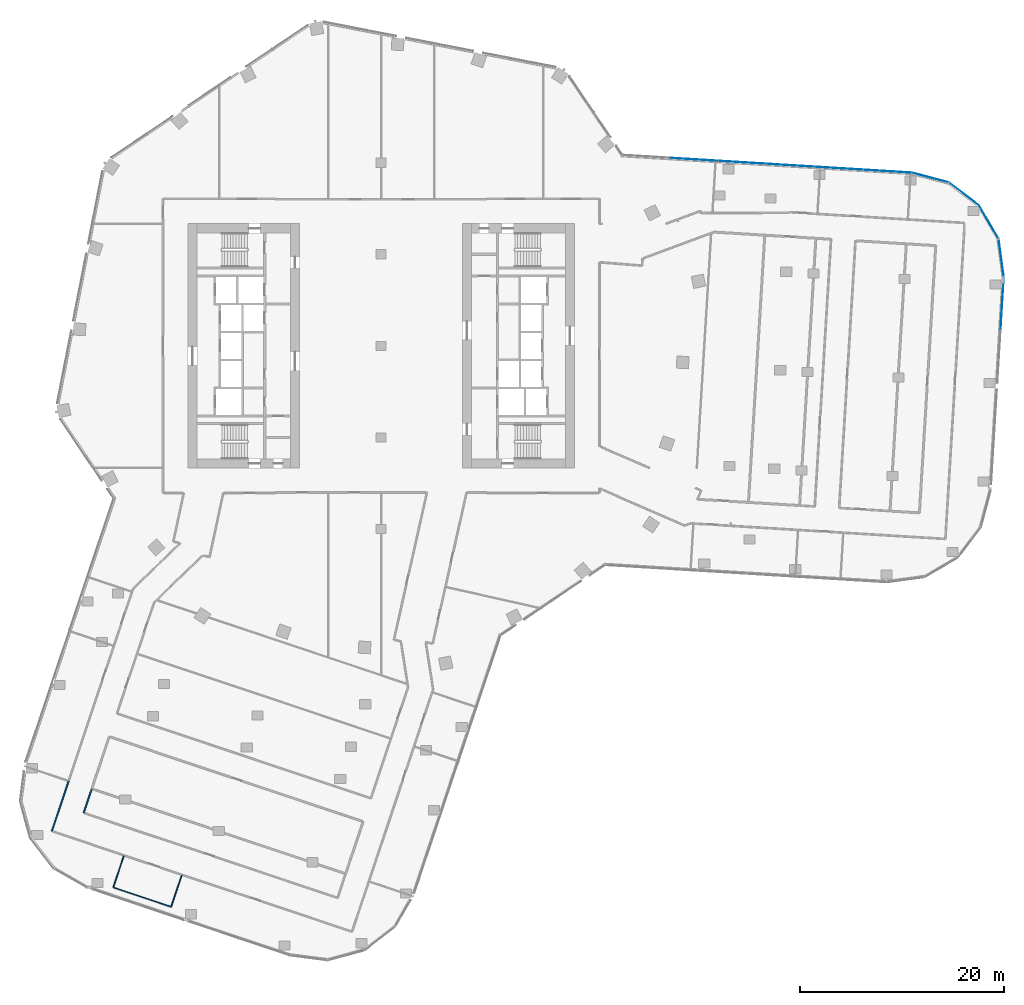
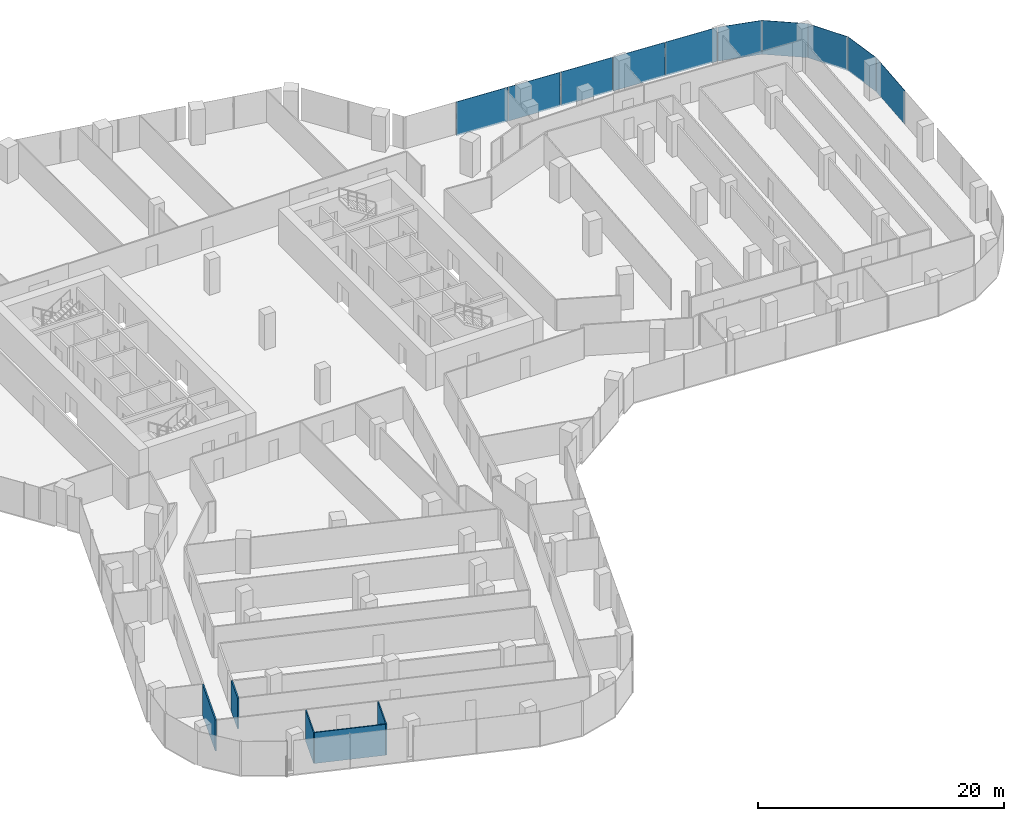
# One storey, part 21 of 32: 10 plates, 5 walls, 6 elements without a shape of their own.
"""IFC4 building model written with IfcOpenShell, lengths in metres."""

from ifc_helpers import new_model, si_unit, direction, frame, frame_2d, origin, origin_2d, place, context, subcontext, project, spatial, rectangle, extrude, material, layer, layer_set, type_object, element, aggregate, save


model = new_model("IFC4")

# Units and contexts
model_context = context("Model", 3, precision=1e-05, world=origin(), true_north=direction((0.0, 1.0)))
body_context = subcontext(model_context, "Body", "Model", "MODEL_VIEW")
ifc_project = project(units=[si_unit("LENGTHUNIT", "METRE"), si_unit("AREAUNIT", "SQUARE_METRE"), si_unit("VOLUMEUNIT", "CUBIC_METRE"), si_unit("PLANEANGLEUNIT", "RADIAN"), si_unit("MASSUNIT", "GRAM", prefix="KILO")], contexts=[model_context])

# Site, building, storey
site_placement = place(None, origin())
site = spatial("IfcSite", under=ifc_project, at=site_placement, CompositionType="ELEMENT")
building_placement = place(site_placement, origin())
building = spatial("IfcBuilding", under=site, at=building_placement, Name="Orlundy Tower", CompositionType="ELEMENT")
storey_placement = place(building_placement, frame((0.0, 0.0, 149.10009765625)))
storey = spatial("IfcBuildingStorey", under=building, at=storey_placement, Name="L38", CompositionType="ELEMENT", Elevation=149.10009765625)

# Curtain wall, plates
ifc_material_1 = material(Name="Aluminium bronze anodised", Category="aluminium")
curtain_wall_type = type_object("IfcCurtainWallType", Name="CW1 wall", PredefinedType="NOTDEFINED", material=ifc_material_1)
curtain_wall_1_placement = place(storey_placement, origin())
curtain_wall_1 = element("IfcCurtainWall", 1, at=curtain_wall_1_placement, inside=storey, type_object=curtain_wall_type, Name="CW1 run 018", PredefinedType="NOTDEFINED")
ifc_material_2 = material(Name="Tinted glass", Category="glass")
ifc_layer_1 = layer(ifc_material_2, 0.031982421875)
ifc_layer_set_1 = layer_set([ifc_layer_1], Name="CW1 glass panel 32")
plate_type = type_object("IfcPlateType", Name="CW1 glass panel 32", PredefinedType="CURTAIN_PANEL", material=ifc_layer_set_1)
plate_1_placement = place(storey_placement, frame((30.77685546875, 18.319091796875, -0.280029296875), z_axis=(0.0, 0.0, 1.0), x_axis=(0.998134478615, -0.061053768107, 0.0)))
plate_1 = element("IfcPlate", 2, at=plate_1_placement, type_object=plate_type, Name="CW1 panel", PredefinedType="CURTAIN_PANEL", context=body_context, shape_type="SweptSolid", body=[
    extrude(rectangle(XDim=4.705322265625, YDim=0.031982421875, at=origin_2d()), origin(), (0.0, 0.0, 1.0), 3.3798828125),
])
plate_2_placement = place(storey_placement, frame((35.523193359375, 18.02880859375, -0.280029296875), z_axis=(0.0, 0.0, 1.0), x_axis=(0.998134478615, -0.061053768107, 0.0)))
plate_2 = element("IfcPlate", 3, at=plate_2_placement, type_object=plate_type, Name="CW1 panel", PredefinedType="CURTAIN_PANEL", context=body_context, shape_type="SweptSolid", body=[
    extrude(rectangle(XDim=4.705322265625, YDim=0.031982421875, at=origin_2d()), origin(), (0.0, 0.0, 1.0), 3.3798828125),
])
plate_3_placement = place(storey_placement, frame((40.269775390625, 17.738525390625, -0.280029296875), z_axis=(0.0, 0.0, 1.0), x_axis=(0.998134478615, -0.061053768107, 0.0)))
plate_3 = element("IfcPlate", 4, at=plate_3_placement, type_object=plate_type, Name="CW1 panel", PredefinedType="CURTAIN_PANEL", context=body_context, shape_type="SweptSolid", body=[
    extrude(rectangle(XDim=4.705322265625, YDim=0.031982421875, at=origin_2d()), origin(), (0.0, 0.0, 1.0), 3.3798828125),
])
plate_4_placement = place(storey_placement, frame((45.016357421875, 17.4482421875, -0.280029296875), z_axis=(0.0, 0.0, 1.0), x_axis=(0.998134478615, -0.061053768107, 0.0)))
plate_4 = element("IfcPlate", 5, at=plate_4_placement, type_object=plate_type, Name="CW1 panel", PredefinedType="CURTAIN_PANEL", context=body_context, shape_type="SweptSolid", body=[
    extrude(rectangle(XDim=4.705322265625, YDim=0.031982421875, at=origin_2d()), origin(), (0.0, 0.0, 1.0), 3.3798828125),
])
plate_5_placement = place(storey_placement, frame((49.770751953125, 17.157470703125, -0.280029296875), z_axis=(0.0, 0.0, 1.0), x_axis=(0.998134478615, -0.061053768107, 0.0)))
plate_5 = element("IfcPlate", 6, at=plate_5_placement, type_object=plate_type, Name="CW1 panel", PredefinedType="CURTAIN_PANEL", context=body_context, shape_type="SweptSolid", body=[
    extrude(rectangle(XDim=4.721435546875, YDim=0.031982421875, at=origin_2d()), origin(), (0.0, 0.0, 1.0), 3.3798828125),
])
aggregate(curtain_wall_1, [plate_1, plate_2, plate_3, plate_4, plate_5])

# Curtain wall, plate
curtain_wall_2_placement = place(storey_placement, origin())
curtain_wall_2 = element("IfcCurtainWall", 7, at=curtain_wall_2_placement, inside=storey, type_object=curtain_wall_type, Name="CW1 run 019", PredefinedType="NOTDEFINED")
plate_6_placement = place(storey_placement, frame((53.97998046875, 16.5302734375, -0.280029296875), z_axis=(0.0, 0.0, 1.0), x_axis=(0.967018593616, -0.254705790277, 0.0)))
plate_6 = element("IfcPlate", 8, at=plate_6_placement, type_object=plate_type, Name="CW1 panel", PredefinedType="CURTAIN_PANEL", context=body_context, shape_type="SweptSolid", body=[
    extrude(rectangle(XDim=3.72998046875, YDim=0.031982421875, at=origin_2d()), origin(), (0.0, 0.0, 1.0), 3.3798828125),
])
aggregate(curtain_wall_2, [plate_6])

curtain_wall_3_placement = place(storey_placement, origin())
curtain_wall_3 = element("IfcCurtainWall", 9, at=curtain_wall_3_placement, inside=storey, type_object=curtain_wall_type, Name="CW1 run 020", PredefinedType="NOTDEFINED")
plate_7_placement = place(storey_placement, frame((57.28466796875, 14.9140625, -0.280029296875), z_axis=(0.0, 0.0, 1.0), x_axis=(0.796131001065, -0.605124308835, 0.0)))
plate_7 = element("IfcPlate", 10, at=plate_7_placement, type_object=plate_type, Name="CW1 panel", PredefinedType="CURTAIN_PANEL", context=body_context, shape_type="SweptSolid", body=[
    extrude(rectangle(XDim=3.77197265625, YDim=0.031982421875, at=origin_2d()), origin(), (0.0, 0.0, 1.0), 3.3798828125),
])
aggregate(curtain_wall_3, [plate_7])

curtain_wall_4_placement = place(storey_placement, origin())
curtain_wall_4 = element("IfcCurtainWall", 11, at=curtain_wall_4_placement, inside=storey, type_object=curtain_wall_type, Name="CW1 run 021", PredefinedType="NOTDEFINED")
plate_8_placement = place(storey_placement, frame((59.736083984375, 12.1435546875, -0.280029296875), z_axis=(0.0, 0.0, 1.0), x_axis=(0.503703269164, -0.863876736944, 0.0)))
plate_8 = element("IfcPlate", 12, at=plate_8_placement, type_object=plate_type, Name="CW1 panel", PredefinedType="CURTAIN_PANEL", context=body_context, shape_type="SweptSolid", body=[
    extrude(rectangle(XDim=3.771728515625, YDim=0.031982421875, at=origin_2d()), origin(), (0.0, 0.0, 1.0), 3.3798828125),
])
aggregate(curtain_wall_4, [plate_8])

curtain_wall_5_placement = place(storey_placement, origin())
curtain_wall_5 = element("IfcCurtainWall", 13, at=curtain_wall_5_placement, inside=storey, type_object=curtain_wall_type, Name="CW1 run 022", PredefinedType="NOTDEFINED")
plate_9_placement = place(storey_placement, frame((60.937744140625, 8.666259765625, -0.280029296875), z_axis=(0.0, 0.0, 1.0), x_axis=(0.134884472094, -0.990861331967, 0.0)))
plate_9 = element("IfcPlate", 14, at=plate_9_placement, type_object=plate_type, Name="CW1 panel", PredefinedType="CURTAIN_PANEL", context=body_context, shape_type="SweptSolid", body=[
    extrude(rectangle(XDim=3.73046875, YDim=0.031982421875, at=origin_2d()), origin(), (0.0, 0.0, 1.0), 3.3798828125),
])
aggregate(curtain_wall_5, [plate_9])

curtain_wall_6_placement = place(storey_placement, origin())
curtain_wall_6 = element("IfcCurtainWall", 15, at=curtain_wall_6_placement, inside=storey, type_object=curtain_wall_type, Name="CW1 run 023", PredefinedType="NOTDEFINED")
plate_10_placement = place(storey_placement, frame((61.031982421875, 4.164794921875, -0.280029296875), z_axis=(0.0, 0.0, 1.0), x_axis=(-0.061047131434, -0.998134884544, 0.0)))
plate_10 = element("IfcPlate", 16, at=plate_10_placement, type_object=plate_type, Name="CW1 panel", PredefinedType="CURTAIN_PANEL", context=body_context, shape_type="SweptSolid", body=[
    extrude(rectangle(XDim=5.216064453125, YDim=0.031982421875, at=origin_2d()), origin(), (0.0, 0.0, 1.0), 3.3798828125),
])
aggregate(curtain_wall_6, [plate_10])

# Walls
ifc_material_3 = material(Name="Gypsum board partition")
ifc_layer_2 = layer(ifc_material_3, 0.10009765625)
ifc_layer_set_2 = layer_set([ifc_layer_2], Name="Floor partition 100")
wall_type_1 = type_object("IfcWallType", Name="Floor partition 100", PredefinedType="PARTITIONING", material=ifc_layer_set_2)
wall_1_placement = place(storey_placement, frame((-26.281005859375, -53.2451171875, 0.0), z_axis=(0.0, 0.0, 1.0), x_axis=(0.948351779966, -0.317220587976, 0.0)))
element("IfcWall", 17, at=wall_1_placement, inside=storey, type_object=wall_type_1, Name="wall-int-L38-009", PredefinedType="PARTITIONING", context=body_context, shape_type="SweptSolid", body=[
    extrude(rectangle(XDim=5.900634765625, YDim=0.10009765625, at=frame_2d((2.9501953125, 0.0))), origin(), (0.0, 0.0, 1.0), 3.079833984375),
])
wall_2_placement = place(storey_placement, frame((-20.636962890625, -55.132080078125, 0.0), z_axis=(0.0, 0.0, 1.0), x_axis=(0.316922325985, 0.948451495487, 0.0)))
element("IfcWall", 18, at=wall_2_placement, inside=storey, type_object=wall_type_1, Name="wall-int-L38-070", PredefinedType="PARTITIONING", context=body_context, shape_type="SweptSolid", body=[
    extrude(rectangle(XDim=3.2685546875, YDim=0.10009765625, at=frame_2d((1.63427734375, 0.0))), origin(), (0.0, 0.0, 1.0), 3.079833984375),
])
wall_3_placement = place(storey_placement, frame((-26.327880859375, -53.22802734375, 0.0), z_axis=(0.0, 0.0, 1.0), x_axis=(0.317191051156, 0.948361659425, 0.0)))
element("IfcWall", 19, at=wall_3_placement, inside=storey, type_object=wall_type_1, Name="wall-int-L38-071", PredefinedType="PARTITIONING", context=body_context, shape_type="SweptSolid", body=[
    extrude(rectangle(XDim=3.268798828125, YDim=0.10009765625, at=frame_2d((1.63427734375, 0.0))), origin(), (0.0, 0.0, 1.0), 3.079833984375),
])
ifc_material_4 = material(Name="Gypsum board partition, double layer")
ifc_layer_3 = layer(ifc_material_4, 0.125)
ifc_layer_set_3 = layer_set([ifc_layer_3], Name="Floor partition 125")
wall_type_2 = type_object("IfcWallType", Name="Floor partition 125", PredefinedType="PARTITIONING", material=ifc_layer_set_3)
wall_4_placement = place(storey_placement, frame((-29.22998046875, -45.89697265625, 0.0), z_axis=(0.0, 0.0, 1.0), x_axis=(0.317165045262, 0.948370357015, 0.0)))
element("IfcWall", 20, at=wall_4_placement, inside=storey, type_object=wall_type_2, Name="wall-int-L38-075", PredefinedType="PARTITIONING", context=body_context, shape_type="SweptSolid", body=[
    extrude(rectangle(XDim=2.500244140625, YDim=0.125, at=frame_2d((1.25, 0.0))), origin(), (0.0, 0.0, 1.0), 3.079833984375),
])
wall_5_placement = place(storey_placement, frame((-30.715087890625, -42.764892578125, 0.0), z_axis=(0.0, 0.0, 1.0), x_axis=(-0.31696020199, -0.948438838489, 0.0)))
element("IfcWall", 21, at=wall_5_placement, inside=storey, type_object=wall_type_2, Name="wall-int-L38-077", PredefinedType="PARTITIONING", context=body_context, shape_type="SweptSolid", body=[
    extrude(rectangle(XDim=5.19921875, YDim=0.125, at=frame_2d((2.599609375, 0.0))), origin(), (0.0, 0.0, 1.0), 3.079833984375),
])

save(model, "model.ifc")
